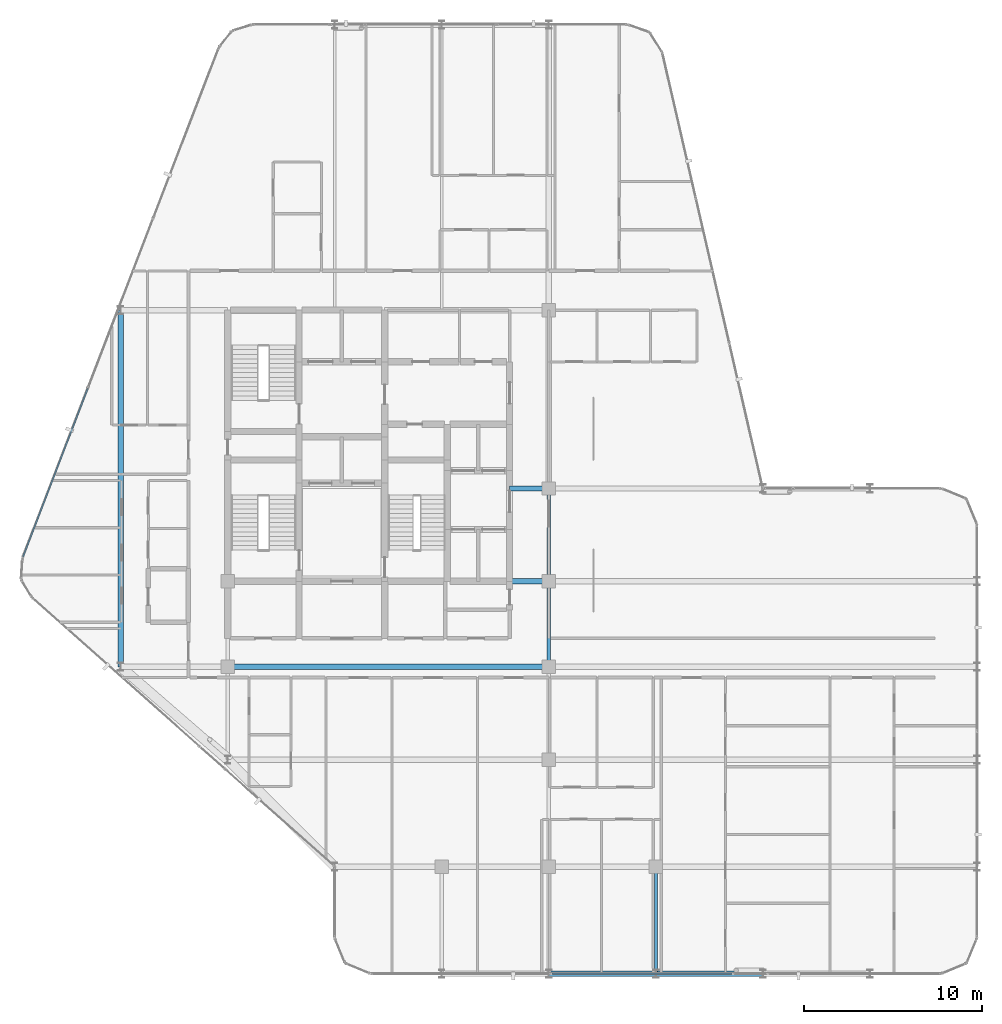
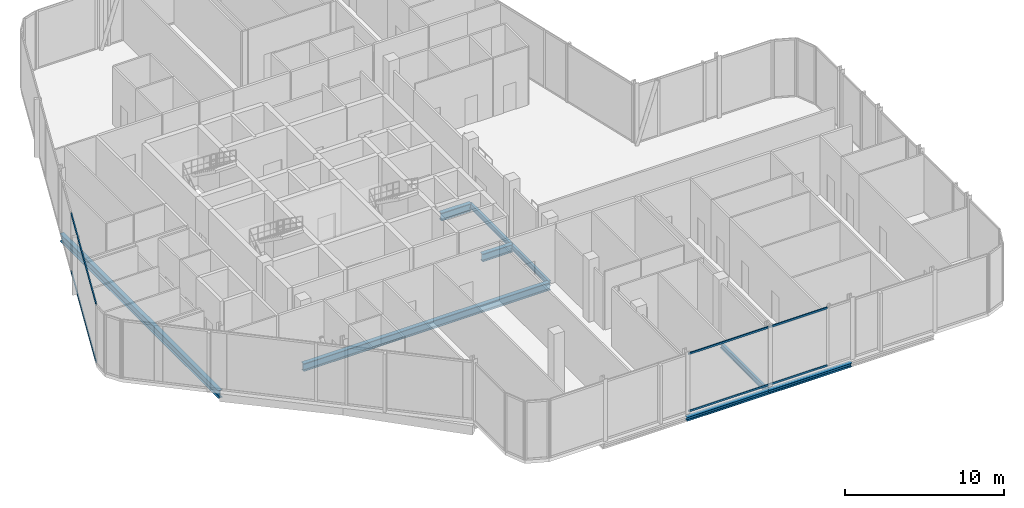
# One storey, part 9 of 29: 9 beams, 4 members, 2 elements without a shape of their own.
"""IFC4 building model written with IfcOpenShell, lengths in metres."""

from ifc_helpers import new_model, si_unit, direction, frame, origin, origin_2d, place, context, subcontext, project, spatial, hollow_rectangle, i_section, extrude, material, layer, layer_set, material_profile, profile_set, type_object, element, aggregate, save


model = new_model("IFC4")

# Units and contexts
model_context = context("Model", 3, precision=1e-05, world=origin(), true_north=direction((0.0, 1.0)))
body_context = subcontext(model_context, "Body", "Model", "MODEL_VIEW")
ifc_project = project(units=[si_unit("LENGTHUNIT", "METRE"), si_unit("AREAUNIT", "SQUARE_METRE"), si_unit("VOLUMEUNIT", "CUBIC_METRE"), si_unit("PLANEANGLEUNIT", "RADIAN"), si_unit("MASSUNIT", "GRAM", prefix="KILO")], contexts=[model_context])

# Site, building, storey
site_placement = place(None, origin())
site = spatial("IfcSite", under=ifc_project, at=site_placement, CompositionType="ELEMENT")
building_placement = place(site_placement, origin())
building = spatial("IfcBuilding", under=site, at=building_placement, Name="Keshet Zoharim Tower", CompositionType="ELEMENT")
storey_placement = place(building_placement, frame((0.0, 0.0, 218.0)))
storey = spatial("IfcBuildingStorey", under=building, at=storey_placement, Name="L54", CompositionType="ELEMENT", Elevation=218.0)

# Beams
ifc_material_1 = material(Name="Steel S355", Category="steel")
ifc_material_profile_1 = material_profile(ifc_material_1, i_section(OverallWidth=0.300048828125, OverallDepth=0.60009765625, WebThickness=0.015380859375, FlangeThickness=0.030029296875, FilletRadius=0.027099609375, at=origin_2d()), Name="HEB600")
ifc_profile_set_1 = profile_set([ifc_material_profile_1], Name="Steel S355")
beam_type_1 = type_object("IfcBeamType", Name="BM-CLK-HB600", PredefinedType="BEAM", material=ifc_profile_set_1)
for number, where, z_axis, x_axis, name in (
    (1, (30.800048828125, 22.699951171875, -0.6201171875), (1.0, 0.0, 0.0), (0.0, 1.0, 0.0), "L54 Core Wall Link Girder 01"),
    (2, (30.800048828125, 27.89990234375, -0.6201171875), (1.0, 0.0, 0.0), (0.0, 1.0, 0.0), "L54 Core Wall Link Girder 02"),
):
    element("IfcBeam", number, at=place(storey_placement, frame(where, z_axis=z_axis, x_axis=x_axis)), inside=storey, type_object=beam_type_1, Name=name, PredefinedType="BEAM", context=body_context, shape_type="SweptSolid", body=[
        extrude(i_section(OverallWidth=0.300048828125, OverallDepth=0.60009765625, WebThickness=0.015380859375, FlangeThickness=0.030029296875, FilletRadius=0.027099609375, at=origin_2d()), origin(), (0.0, 0.0, 1.0), 2.199951171875),
    ])
ifc_material_profile_2 = material_profile(ifc_material_1, i_section(OverallWidth=0.300048828125, OverallDepth=0.60009765625, WebThickness=0.015380859375, FlangeThickness=0.030029296875, FilletRadius=0.027099609375, at=origin_2d()), Name="HEB600")
ifc_profile_set_2 = profile_set([ifc_material_profile_2], Name="Steel S355")
beam_type_2 = type_object("IfcBeamType", Name="BM-LNG-HB600", PredefinedType="BEAM", material=ifc_profile_set_2)
beam_1_placement = place(storey_placement, frame((15.0, 17.89990234375, -0.6201171875), z_axis=(1.0, 0.0, 0.0), x_axis=(0.0, 1.0, 0.0)))
element("IfcBeam", 3, at=beam_1_placement, inside=storey, type_object=beam_type_2, Name="L54 Primary Girder X-012", PredefinedType="BEAM", context=body_context, shape_type="SweptSolid", body=[
    extrude(i_section(OverallWidth=0.300048828125, OverallDepth=0.60009765625, WebThickness=0.015380859375, FlangeThickness=0.030029296875, FilletRadius=0.027099609375, at=origin_2d()), origin(), (0.0, 0.0, 1.0), 18.0),
])
beam_2_placement = place(storey_placement, frame((9.0, 17.89990234375, -0.6201171875), z_axis=(0.0, 1.0, 0.0), x_axis=(-1.0, 0.0, 0.0)))
element("IfcBeam", 4, at=beam_2_placement, inside=storey, type_object=beam_type_2, Name="L54 Primary Girder Y-001", PredefinedType="BEAM", context=body_context, shape_type="SweptSolid", body=[
    extrude(i_section(OverallWidth=0.300048828125, OverallDepth=0.60009765625, WebThickness=0.015380859375, FlangeThickness=0.030029296875, FilletRadius=0.027099609375, at=origin_2d()), origin(), (0.0, 0.0, 1.0), 20.0),
])
ifc_material_profile_3 = material_profile(ifc_material_1, i_section(OverallWidth=0.300048828125, OverallDepth=0.300048828125, WebThickness=0.010986328125, FlangeThickness=0.01904296875, FilletRadius=0.027099609375, at=origin_2d()), Name="HEB300")
ifc_profile_set_3 = profile_set([ifc_material_profile_3], Name="Steel S355")
beam_type_3 = type_object("IfcBeamType", Name="BM-PRI-HB300", PredefinedType="BEAM", material=ifc_profile_set_3)
for number, where, z_axis, x_axis, name in (
    (5, (33.0, 0.699951171875, -0.469970703125), (1.0, 0.0, 0.0), (0.0, 1.0, 0.0), "L54 Primary Girder X-002"),
    (6, (39.0, 0.699951171875, -0.469970703125), (1.0, 0.0, 0.0), (0.0, 1.0, 0.0), "L54 Primary Girder X-003"),
):
    element("IfcBeam", number, at=place(storey_placement, frame(where, z_axis=z_axis, x_axis=x_axis)), inside=storey, type_object=beam_type_3, Name=name, PredefinedType="BEAM", context=body_context, shape_type="SweptSolid", body=[
        extrude(i_section(OverallWidth=0.300048828125, OverallDepth=0.300048828125, WebThickness=0.010986328125, FlangeThickness=0.01904296875, FilletRadius=0.027099609375, at=origin_2d()), origin(), (0.0, 0.0, 1.0), 6.0),
    ])
ifc_material_profile_4 = material_profile(ifc_material_1, i_section(OverallWidth=0.179931640625, OverallDepth=0.39990234375, WebThickness=0.008544921875, FlangeThickness=0.013427734375, FilletRadius=0.02099609375, at=origin_2d()), Name="IPE400")
ifc_profile_set_4 = profile_set([ifc_material_profile_4], Name="Steel S355")
beam_type_4 = type_object("IfcBeamType", Name="BM-PRI-IP400", PredefinedType="BEAM", material=ifc_profile_set_4)
beam_3_placement = place(storey_placement, frame((33.0, 17.89990234375, -0.52001953125), z_axis=(0.0, 1.0, 0.0), x_axis=(-1.0, 0.0, 0.0)))
element("IfcBeam", 7, at=beam_3_placement, inside=storey, type_object=beam_type_4, Name="L54 Primary Girder Y-008", PredefinedType="BEAM", context=body_context, shape_type="SweptSolid", body=[
    extrude(i_section(OverallWidth=0.179931640625, OverallDepth=0.39990234375, WebThickness=0.008544921875, FlangeThickness=0.013427734375, FilletRadius=0.02099609375, at=origin_2d()), origin(), (0.0, 0.0, 1.0), 4.800048828125),
])
beam_4_placement = place(storey_placement, frame((33.0, 22.699951171875, -0.52001953125), z_axis=(0.0, 1.0, 0.0), x_axis=(-1.0, 0.0, 0.0)))
element("IfcBeam", 8, at=beam_4_placement, inside=storey, type_object=beam_type_4, Name="L54 Primary Girder Y-009", PredefinedType="BEAM", context=body_context, shape_type="SweptSolid", body=[
    extrude(i_section(OverallWidth=0.179931640625, OverallDepth=0.39990234375, WebThickness=0.008544921875, FlangeThickness=0.013427734375, FilletRadius=0.02099609375, at=origin_2d()), origin(), (0.0, 0.0, 1.0), 5.199951171875),
])
beam_5_placement = place(storey_placement, frame((39.0, 0.699951171875, -0.52001953125), z_axis=(0.0, 1.0, 0.0), x_axis=(-1.0, 0.0, 0.0)))
element("IfcBeam", 9, at=beam_5_placement, inside=storey, type_object=beam_type_4, Name="L54 Primary Girder Y-012", PredefinedType="BEAM", context=body_context, shape_type="SweptSolid", body=[
    extrude(i_section(OverallWidth=0.179931640625, OverallDepth=0.39990234375, WebThickness=0.008544921875, FlangeThickness=0.013427734375, FilletRadius=0.02099609375, at=origin_2d()), origin(), (0.0, 0.0, 1.0), 6.0),
])

# Curtain wall, members
ifc_material_2 = material(Name="Aluminium 6063-T6", Category="aluminium")
ifc_layer = layer(ifc_material_2, 0.14990234375)
ifc_layer_set = layer_set([ifc_layer], Name="Aluminium 6063-T6")
curtain_wall_type = type_object("IfcCurtainWallType", Name="CW-SYS-04", PredefinedType="NOTDEFINED", material=ifc_layer_set)
curtain_wall_1_placement = place(storey_placement, origin())
curtain_wall_1 = element("IfcCurtainWall", 10, at=curtain_wall_1_placement, inside=storey, type_object=curtain_wall_type, Name="L54 Unitised Curtain Wall 06 Part 3", PredefinedType="NOTDEFINED")
ifc_material_profile_5 = material_profile(ifc_material_2, hollow_rectangle(XDim=0.080078125, YDim=0.139892578125, WallThickness=0.00390625, at=origin_2d()), Name="TRN-80x140")
ifc_profile_set_5 = profile_set([ifc_material_profile_5], Name="Aluminium 6063-T6")
member_type = type_object("IfcMemberType", Name="CWT-T14", PredefinedType="USERDEFINED", material=ifc_profile_set_5)
member_1_placement = place(storey_placement, frame((43.2705078125, 0.699951171875, 0.034912109375), z_axis=(-1.0, 0.0, 0.0), x_axis=(0.0, -1.0, 0.0)))
member_1 = element("IfcMember", 11, at=member_1_placement, type_object=member_type, Name="CW-04 transom 1.1", ObjectType="TRANSOM", PredefinedType="USERDEFINED", context=body_context, shape_type="SweptSolid", body=[
    extrude(hollow_rectangle(XDim=0.080078125, YDim=0.139892578125, WallThickness=0.00390625, at=origin_2d()), origin(), (0.0, 0.0, 1.0), 10.100341796875),
])
member_2_placement = place(storey_placement, frame((43.2705078125, 0.699951171875, 4.455078125), z_axis=(-1.0, 0.0, 0.0), x_axis=(0.0, -1.0, 0.0)))
member_2 = element("IfcMember", 12, at=member_2_placement, type_object=member_type, Name="CW-04 transom 1.2", ObjectType="TRANSOM", PredefinedType="USERDEFINED", context=body_context, shape_type="SweptSolid", body=[
    extrude(hollow_rectangle(XDim=0.080078125, YDim=0.139892578125, WallThickness=0.00390625, at=origin_2d()), origin(), (0.0, 0.0, 1.0), 10.100341796875),
])
aggregate(curtain_wall_1, [member_1, member_2])

curtain_wall_2_placement = place(storey_placement, origin())
curtain_wall_2 = element("IfcCurtainWall", 13, at=curtain_wall_2_placement, inside=storey, type_object=curtain_wall_type, Name="L54 Unitised Curtain Wall 13", PredefinedType="NOTDEFINED")
member_3_placement = place(storey_placement, frame((3.522216796875, 24.058349609375, 0.034912109375), z_axis=(0.358993631387, 0.93334000912, 0.0), x_axis=(-0.93334000912, 0.358993631387, 0.0)))
member_3 = element("IfcMember", 14, at=member_3_placement, type_object=member_type, Name="CW-04 transom 1.1", ObjectType="TRANSOM", PredefinedType="USERDEFINED", context=body_context, shape_type="SweptSolid", body=[
    extrude(hollow_rectangle(XDim=0.080078125, YDim=0.139892578125, WallThickness=0.00390625, at=origin_2d()), origin(), (0.0, 0.0, 1.0), 10.1181640625),
])
member_4_placement = place(storey_placement, frame((3.522216796875, 24.058349609375, 4.455078125), z_axis=(0.358993631387, 0.93334000912, 0.0), x_axis=(-0.93334000912, 0.358993631387, 0.0)))
member_4 = element("IfcMember", 15, at=member_4_placement, type_object=member_type, Name="CW-04 transom 1.2", ObjectType="TRANSOM", PredefinedType="USERDEFINED", context=body_context, shape_type="SweptSolid", body=[
    extrude(hollow_rectangle(XDim=0.080078125, YDim=0.139892578125, WallThickness=0.00390625, at=origin_2d()), origin(), (0.0, 0.0, 1.0), 10.1181640625),
])
aggregate(curtain_wall_2, [member_3, member_4])

save(model, "model.ifc")
